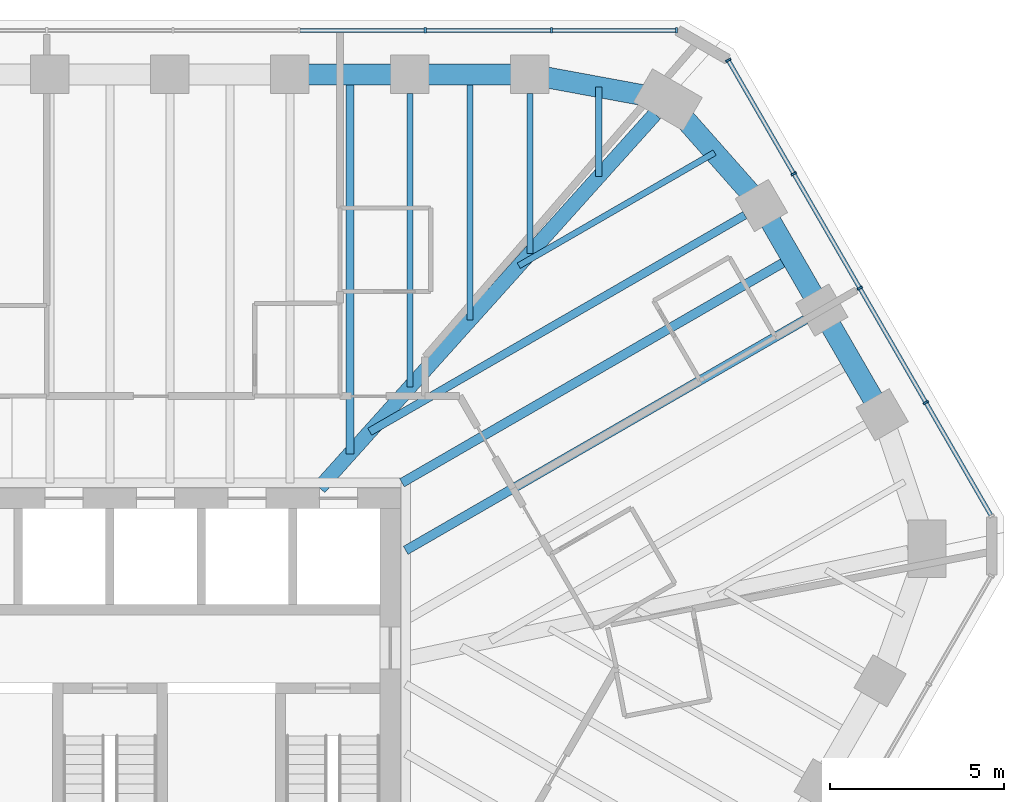
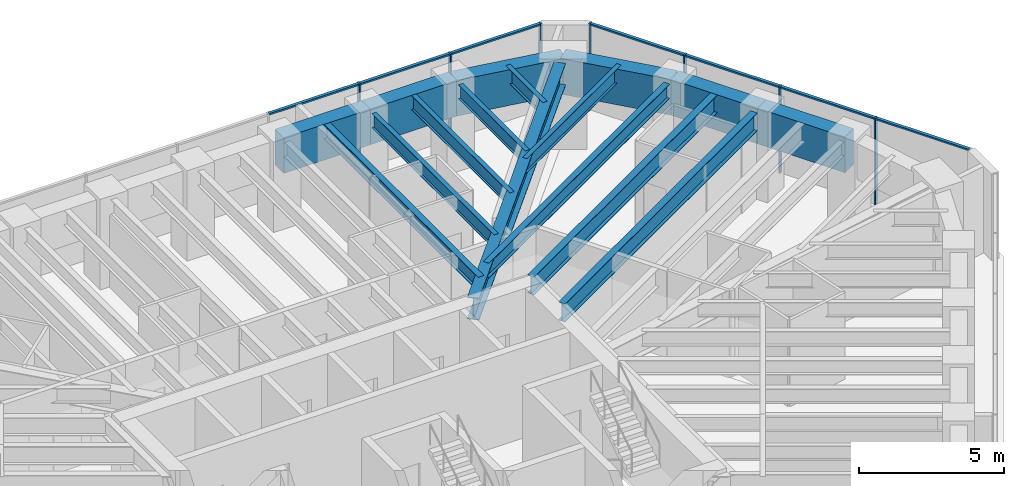
# One storey, part 7 of 14: 16 beams, 14 members, 2 elements without a shape of their own.
"""IFC4 building model written with IfcOpenShell, lengths in metres."""

from ifc_helpers import new_model, si_unit, direction, frame, origin, origin_2d, place, context, subcontext, project, spatial, rectangle, i_section, extrude, material, material_profile, profile_set, type_object, element, aggregate, save


model = new_model("IFC4")

# Units and contexts
model_context = context("Model", 3, precision=1e-05, world=origin(), true_north=direction((0.0, 1.0)))
body_context = subcontext(model_context, "Body", "Model", "MODEL_VIEW")
ifc_project = project(units=[si_unit("LENGTHUNIT", "METRE"), si_unit("AREAUNIT", "SQUARE_METRE"), si_unit("VOLUMEUNIT", "CUBIC_METRE"), si_unit("PLANEANGLEUNIT", "RADIAN"), si_unit("MASSUNIT", "GRAM", prefix="KILO")], contexts=[model_context])

# Site, building, storey
site_placement = place(None, origin())
site = spatial("IfcSite", under=ifc_project, at=site_placement, CompositionType="ELEMENT")
building_placement = place(site_placement, origin())
building = spatial("IfcBuilding", under=site, at=building_placement, Name="Sandreach Pilgrim Tower", CompositionType="ELEMENT")
storey_placement = place(building_placement, frame((0.0, 0.0, 268.39990234375)))
storey = spatial("IfcBuildingStorey", under=building, at=storey_placement, Name="L67", CompositionType="ELEMENT", Elevation=268.39990234375)

# Curtain wall, members
ifc_material_1 = material(Name="Aluminium framed curtain wall", Category="aluminium")
curtain_wall_type = type_object("IfcCurtainWallType", Name="Suite tower curtain wall", PredefinedType="NOTDEFINED", material=ifc_material_1)
curtain_wall_1_placement = place(storey_placement, origin())
curtain_wall_1 = element("IfcCurtainWall", 1, at=curtain_wall_1_placement, inside=storey, type_object=curtain_wall_type, Name="CW-4 L67 N", PredefinedType="NOTDEFINED")
ifc_material_2 = material(Name="Aluminium extrusion", Category="aluminium")
ifc_material_profile_1 = material_profile(ifc_material_2, rectangle(XDim=0.06005859375, YDim=0.159912109375, at=origin_2d()), Name="CW-4M 60X160")
ifc_profile_set_1 = profile_set([ifc_material_profile_1], Name="Aluminium extrusion")
member_type_1 = type_object("IfcMemberType", Name="CW-4 mullion", PredefinedType="MULLION", material=ifc_profile_set_1)
member_1_placement = place(storey_placement, frame((9.0546875, 19.826416015625, 0.0), z_axis=(0.0, 0.0, 1.0), x_axis=(1.0, 0.0, 0.0)))
member_1 = element("IfcMember", 2, at=member_1_placement, type_object=member_type_1, Name="CW-4 mullion 8", PredefinedType="MULLION", context=body_context, shape_type="SweptSolid", body=[
    extrude(rectangle(XDim=0.06005859375, YDim=0.159912109375, at=origin_2d()), origin(), (0.0, 0.0, 1.0), 3.64013671875),
])
member_2_placement = place(storey_placement, frame((12.676513671875, 19.826416015625, 0.0), z_axis=(0.0, 0.0, 1.0), x_axis=(1.0, 0.0, 0.0)))
member_2 = element("IfcMember", 3, at=member_2_placement, type_object=member_type_1, Name="CW-4 mullion 9", PredefinedType="MULLION", context=body_context, shape_type="SweptSolid", body=[
    extrude(rectangle(XDim=0.06005859375, YDim=0.159912109375, at=origin_2d()), origin(), (0.0, 0.0, 1.0), 3.64013671875),
])
member_3_placement = place(storey_placement, frame((16.268310546875, 19.826416015625, 0.0), z_axis=(0.0, 0.0, 1.0), x_axis=(1.0, 0.0, 0.0)))
member_3 = element("IfcMember", 4, at=member_3_placement, type_object=member_type_1, Name="CW-4 mullion 10", PredefinedType="MULLION", context=body_context, shape_type="SweptSolid", body=[
    extrude(rectangle(XDim=0.06005859375, YDim=0.159912109375, at=origin_2d()), origin(), (0.0, 0.0, 1.0), 3.64013671875),
])

curtain_wall_2_placement = place(storey_placement, origin())
curtain_wall_2 = element("IfcCurtainWall", 5, at=curtain_wall_2_placement, inside=storey, type_object=curtain_wall_type, Name="CW-4 L67 NE", PredefinedType="NOTDEFINED")
member_4_placement = place(storey_placement, frame((17.7509765625, 18.970458984375, 0.0), z_axis=(0.0, 0.0, 1.0), x_axis=(0.5, -0.866025403784, 0.0)))
member_4 = element("IfcMember", 6, at=member_4_placement, type_object=member_type_1, Name="CW-4 mullion 1", PredefinedType="MULLION", context=body_context, shape_type="SweptSolid", body=[
    extrude(rectangle(XDim=0.06005859375, YDim=0.159912109375, at=origin_2d()), origin(), (0.0, 0.0, 1.0), 3.64013671875),
])
member_5_placement = place(storey_placement, frame((19.6318359375, 15.712646484375, 0.0), z_axis=(0.0, 0.0, 1.0), x_axis=(0.5, -0.866025403784, 0.0)))
member_5 = element("IfcMember", 7, at=member_5_placement, type_object=member_type_1, Name="CW-4 mullion 2", PredefinedType="MULLION", context=body_context, shape_type="SweptSolid", body=[
    extrude(rectangle(XDim=0.06005859375, YDim=0.159912109375, at=origin_2d()), origin(), (0.0, 0.0, 1.0), 3.64013671875),
])
member_6_placement = place(storey_placement, frame((21.527587890625, 12.428955078125, 0.0), z_axis=(0.0, 0.0, 1.0), x_axis=(0.5, -0.866025403784, 0.0)))
member_6 = element("IfcMember", 8, at=member_6_placement, type_object=member_type_1, Name="CW-4 mullion 3", PredefinedType="MULLION", context=body_context, shape_type="SweptSolid", body=[
    extrude(rectangle(XDim=0.06005859375, YDim=0.159912109375, at=origin_2d()), origin(), (0.0, 0.0, 1.0), 3.64013671875),
])
member_7_placement = place(storey_placement, frame((23.423583984375, 9.145263671875, 0.0), z_axis=(0.0, 0.0, 1.0), x_axis=(0.5, -0.866025403784, 0.0)))
member_7 = element("IfcMember", 9, at=member_7_placement, type_object=member_type_1, Name="CW-4 mullion 4", PredefinedType="MULLION", context=body_context, shape_type="SweptSolid", body=[
    extrude(rectangle(XDim=0.06005859375, YDim=0.159912109375, at=origin_2d()), origin(), (0.0, 0.0, 1.0), 3.64013671875),
])

# Member
ifc_material_3 = material(Name="Aluminium extrusion", Category="aluminium")
ifc_material_profile_2 = material_profile(ifc_material_3, rectangle(XDim=0.1201171875, YDim=0.070068359375, at=origin_2d()), Name="CW-4T 120X70")
ifc_profile_set_2 = profile_set([ifc_material_profile_2], Name="Aluminium extrusion")
member_type_2 = type_object("IfcMemberType", Name="CW-4 transom", PredefinedType="USERDEFINED", material=ifc_profile_set_2)
member_8_placement = place(storey_placement, frame((5.462890625, 19.826416015625, 3.60498046875), z_axis=(1.0, 0.0, 0.0), x_axis=(0.0, 1.0, 0.0)))
member_8 = element("IfcMember", 10, at=member_8_placement, type_object=member_type_2, Name="CW-4 head transom 7", ObjectType="TRANSOM", PredefinedType="USERDEFINED", context=body_context, shape_type="SweptSolid", body=[
    extrude(rectangle(XDim=0.1201171875, YDim=0.070068359375, at=origin_2d()), origin(), (0.0, 0.0, 1.0), 3.561767578125),
])

member_9_placement = place(storey_placement, frame((9.084716796875, 19.826416015625, 3.60498046875), z_axis=(1.0, 0.0, 0.0), x_axis=(0.0, 1.0, 0.0)))
member_9 = element("IfcMember", 11, at=member_9_placement, type_object=member_type_2, Name="CW-4 head transom 8", ObjectType="TRANSOM", PredefinedType="USERDEFINED", context=body_context, shape_type="SweptSolid", body=[
    extrude(rectangle(XDim=0.1201171875, YDim=0.070068359375, at=origin_2d()), origin(), (0.0, 0.0, 1.0), 3.561767578125),
])

member_10_placement = place(storey_placement, frame((12.70654296875, 19.826416015625, 3.60498046875), z_axis=(1.0, 0.0, 0.0), x_axis=(0.0, 1.0, 0.0)))
member_10 = element("IfcMember", 12, at=member_10_placement, type_object=member_type_2, Name="CW-4 head transom 9", ObjectType="TRANSOM", PredefinedType="USERDEFINED", context=body_context, shape_type="SweptSolid", body=[
    extrude(rectangle(XDim=0.1201171875, YDim=0.070068359375, at=origin_2d()), origin(), (0.0, 0.0, 1.0), 3.53173828125),
])

aggregate(curtain_wall_1, [member_1, member_2, member_3, member_8, member_9, member_10])

member_11_placement = place(storey_placement, frame((17.76611328125, 18.944580078125, 3.60498046875), z_axis=(0.499990780478, -0.866030726613, 0.0), x_axis=(0.866030726613, 0.499990780478, 0.0)))
member_11 = element("IfcMember", 13, at=member_11_placement, type_object=member_type_2, Name="CW-4 head transom 1", ObjectType="TRANSOM", PredefinedType="USERDEFINED", context=body_context, shape_type="SweptSolid", body=[
    extrude(rectangle(XDim=0.1201171875, YDim=0.070068359375, at=origin_2d()), origin(), (0.0, 0.0, 1.0), 3.70166015625),
])

member_12_placement = place(storey_placement, frame((19.646728515625, 15.686767578125, 3.60498046875), z_axis=(0.500030151002, -0.866007995396, 0.0), x_axis=(0.866007995396, 0.500030151002, 0.0)))
member_12 = element("IfcMember", 14, at=member_12_placement, type_object=member_type_2, Name="CW-4 head transom 2", ObjectType="TRANSOM", PredefinedType="USERDEFINED", context=body_context, shape_type="SweptSolid", body=[
    extrude(rectangle(XDim=0.1201171875, YDim=0.070068359375, at=origin_2d()), origin(), (0.0, 0.0, 1.0), 3.731689453125),
])

member_13_placement = place(storey_placement, frame((21.542724609375, 12.403076171875, 3.60498046875), z_axis=(0.499981083104, -0.866036325184, 0.0), x_axis=(0.866036325184, 0.499981083104, 0.0)))
member_13 = element("IfcMember", 15, at=member_13_placement, type_object=member_type_2, Name="CW-4 head transom 3", ObjectType="TRANSOM", PredefinedType="USERDEFINED", context=body_context, shape_type="SweptSolid", body=[
    extrude(rectangle(XDim=0.1201171875, YDim=0.070068359375, at=origin_2d()), origin(), (0.0, 0.0, 1.0), 3.731689453125),
])

member_14_placement = place(storey_placement, frame((23.4384765625, 9.119384765625, 3.60498046875), z_axis=(0.499990780478, -0.866030726613, 0.0), x_axis=(0.866030726613, 0.499990780478, 0.0)))
member_14 = element("IfcMember", 16, at=member_14_placement, type_object=member_type_2, Name="CW-4 head transom 4", ObjectType="TRANSOM", PredefinedType="USERDEFINED", context=body_context, shape_type="SweptSolid", body=[
    extrude(rectangle(XDim=0.1201171875, YDim=0.070068359375, at=origin_2d()), origin(), (0.0, 0.0, 1.0), 3.70166015625),
])

aggregate(curtain_wall_2, [member_4, member_5, member_6, member_7, member_11, member_12, member_13, member_14])

# Beams
ifc_material_4 = material(Name="Steel ASTM A992 Grade 50", Category="steel")
ifc_material_profile_3 = material_profile(ifc_material_4, i_section(OverallWidth=0.419189453125, OverallDepth=0.927001953125, WebThickness=0.019287109375, FlangeThickness=0.031982421875, at=origin_2d()), Name="W36X231")
ifc_profile_set_3 = profile_set([ifc_material_profile_3], Name="Steel ASTM A992 Grade 50")
beam_type_1 = type_object("IfcBeamType", Name="Corner girder W36X231", PredefinedType="BEAM", material=ifc_profile_set_3)
beam_1_placement = place(storey_placement, frame((15.649169921875, 17.427978515625, 3.176513671875), z_axis=(-0.668114851597, -0.74405815974, 0.0), x_axis=(0.74405815974, -0.668114851597, 0.0)))
element("IfcBeam", 17, at=beam_1_placement, inside=storey, type_object=beam_type_1, Name="BM L67 CG09", PredefinedType="BEAM", context=body_context, shape_type="SweptSolid", body=[
    extrude(i_section(OverallWidth=0.419189453125, OverallDepth=0.927001953125, WebThickness=0.019287109375, FlangeThickness=0.031982421875, at=origin_2d()), origin(), (0.0, 0.0, 1.0), 14.418212890625),
])
ifc_material_5 = material(Name="Steel ASTM A992 Grade 50", Category="steel")
ifc_material_profile_4 = material_profile(ifc_material_5, i_section(OverallWidth=0.1787109375, OverallDepth=0.60205078125, WebThickness=0.010986328125, FlangeThickness=0.014892578125, at=origin_2d()), Name="W24X62")
ifc_profile_set_4 = profile_set([ifc_material_profile_4], Name="Steel ASTM A992 Grade 50")
beam_type_2 = type_object("IfcBeamType", Name="Floor beam W24X62", PredefinedType="BEAM", material=ifc_profile_set_4)
beam_2_placement = place(storey_placement, frame((8.612548828125, 18.016357421875, 3.339111328125), z_axis=(0.0, -1.0, 0.0), x_axis=(1.0, 0.0, 0.0)))
element("IfcBeam", 18, at=beam_2_placement, inside=storey, type_object=beam_type_2, Name="BM L67 F07", PredefinedType="BEAM", context=body_context, shape_type="SweptSolid", body=[
    extrude(i_section(OverallWidth=0.1787109375, OverallDepth=0.60205078125, WebThickness=0.010986328125, FlangeThickness=0.014892578125, at=origin_2d()), origin(), (0.0, 0.0, 1.0), 8.4248046875),
])
beam_3_placement = place(storey_placement, frame((12.0576171875, 18.016357421875, 3.339111328125), z_axis=(0.0, -1.0, 0.0), x_axis=(1.0, 0.0, 0.0)))
element("IfcBeam", 19, at=beam_3_placement, inside=storey, type_object=beam_type_2, Name="BM L67 F08", PredefinedType="BEAM", context=body_context, shape_type="SweptSolid", body=[
    extrude(i_section(OverallWidth=0.1787109375, OverallDepth=0.60205078125, WebThickness=0.010986328125, FlangeThickness=0.014892578125, at=origin_2d()), origin(), (0.0, 0.0, 1.0), 4.58837890625),
])
beam_4_placement = place(storey_placement, frame((10.3349609375, 18.56640625, 3.339111328125), z_axis=(0.0, -1.0, 0.0), x_axis=(1.0, 0.0, 0.0)))
element("IfcBeam", 20, at=beam_4_placement, inside=storey, type_object=beam_type_2, Name="BM L67 FM07", PredefinedType="BEAM", context=body_context, shape_type="SweptSolid", body=[
    extrude(i_section(OverallWidth=0.1787109375, OverallDepth=0.60205078125, WebThickness=0.010986328125, FlangeThickness=0.014892578125, at=origin_2d()), origin(), (0.0, 0.0, 1.0), 7.056640625),
])
beam_5_placement = place(storey_placement, frame((14.037109375, 18.201904296875, 3.339111328125), z_axis=(0.0, -1.0, 0.0), x_axis=(1.0, 0.0, 0.0)))
element("IfcBeam", 21, at=beam_5_placement, inside=storey, type_object=beam_type_2, Name="BM L67 FM08", PredefinedType="BEAM", context=body_context, shape_type="SweptSolid", body=[
    extrude(i_section(OverallWidth=0.1787109375, OverallDepth=0.60205078125, WebThickness=0.010986328125, FlangeThickness=0.014892578125, at=origin_2d()), origin(), (0.0, 0.0, 1.0), 2.5693359375),
])
beam_6_placement = place(storey_placement, frame((17.360107421875, 16.31884765625, 3.339111328125), z_axis=(-0.866023980233, -0.500002465655, 0.0), x_axis=(0.500002465655, -0.866023980233, 0.0)))
element("IfcBeam", 22, at=beam_6_placement, inside=storey, type_object=beam_type_2, Name="BM L67 FM09", PredefinedType="BEAM", context=body_context, shape_type="SweptSolid", body=[
    extrude(i_section(OverallWidth=0.1787109375, OverallDepth=0.60205078125, WebThickness=0.010986328125, FlangeThickness=0.014892578125, at=origin_2d()), origin(), (0.0, 0.0, 1.0), 6.49072265625),
])
ifc_material_6 = material(Name="Steel ASTM A992 Grade 50", Category="steel")
ifc_material_profile_5 = material_profile(ifc_material_6, i_section(OverallWidth=0.23046875, OverallDepth=0.6171875, WebThickness=0.01318359375, FlangeThickness=0.022216796875, at=origin_2d()), Name="W24X94")
ifc_profile_set_5 = profile_set([ifc_material_profile_5], Name="Steel ASTM A992 Grade 50")
beam_type_3 = type_object("IfcBeamType", Name="Floor beam W24X94", PredefinedType="BEAM", material=ifc_profile_set_5)
beam_7_placement = place(storey_placement, frame((18.227294921875, 14.525390625, 3.33154296875), z_axis=(-0.866020427415, -0.500008619226, 0.0), x_axis=(0.500008619226, -0.866020427415, 0.0)))
element("IfcBeam", 23, at=beam_7_placement, inside=storey, type_object=beam_type_3, Name="BM L67 F10", PredefinedType="BEAM", context=body_context, shape_type="SweptSolid", body=[
    extrude(i_section(OverallWidth=0.23046875, OverallDepth=0.6171875, WebThickness=0.01318359375, FlangeThickness=0.022216796875, at=origin_2d()), origin(), (0.0, 0.0, 1.0), 12.431396484375),
])
beam_8_placement = place(storey_placement, frame((6.89013671875, 18.56640625, 3.33154296875), z_axis=(0.0, -1.0, 0.0), x_axis=(1.0, 0.0, 0.0)))
element("IfcBeam", 24, at=beam_8_placement, inside=storey, type_object=beam_type_3, Name="BM L67 FM06", PredefinedType="BEAM", context=body_context, shape_type="SweptSolid", body=[
    extrude(i_section(OverallWidth=0.23046875, OverallDepth=0.6171875, WebThickness=0.01318359375, FlangeThickness=0.022216796875, at=origin_2d()), origin(), (0.0, 0.0, 1.0), 10.893310546875),
])
ifc_material_7 = material(Name="Steel ASTM A992 Grade 50", Category="steel")
ifc_material_profile_6 = material_profile(ifc_material_7, i_section(OverallWidth=0.2666015625, OverallDepth=0.761962890625, WebThickness=0.014404296875, FlangeThickness=0.021484375, at=origin_2d()), Name="W30X116")
ifc_profile_set_6 = profile_set([ifc_material_profile_6], Name="Steel ASTM A992 Grade 50")
beam_type_4 = type_object("IfcBeamType", Name="Floor beam W30X116", PredefinedType="BEAM", material=ifc_profile_set_6)
beam_9_placement = place(storey_placement, frame((19.960205078125, 11.52392578125, 3.259033203125), z_axis=(-0.86602530353, -0.500000173646, 0.0), x_axis=(0.500000173646, -0.86602530353, 0.0)))
element("IfcBeam", 25, at=beam_9_placement, inside=storey, type_object=beam_type_4, Name="BM L67 F11", PredefinedType="BEAM", context=body_context, shape_type="SweptSolid", body=[
    extrude(i_section(OverallWidth=0.2666015625, OverallDepth=0.761962890625, WebThickness=0.014404296875, FlangeThickness=0.021484375, at=origin_2d()), origin(), (0.0, 0.0, 1.0), 13.24072265625),
])
beam_10_placement = place(storey_placement, frame((19.570068359375, 13.299560546875, 3.259033203125), z_axis=(-0.866025008595, -0.500000684488, 0.0), x_axis=(0.500000684488, -0.866025008595, 0.0)))
element("IfcBeam", 26, at=beam_10_placement, inside=storey, type_object=beam_type_4, Name="BM L67 FM10", PredefinedType="BEAM", context=body_context, shape_type="SweptSolid", body=[
    extrude(i_section(OverallWidth=0.2666015625, OverallDepth=0.761962890625, WebThickness=0.014404296875, FlangeThickness=0.021484375, at=origin_2d()), origin(), (0.0, 0.0, 1.0), 12.91259765625),
])
ifc_material_8 = material(Name="Concrete 10000 psi", Category="concrete")
ifc_material_profile_7 = material_profile(ifc_material_8, rectangle(XDim=0.60009765625, YDim=1.5, at=origin_2d()), Name="RC600X1500")
ifc_profile_set_7 = profile_set([ifc_material_profile_7], Name="Concrete 10000 psi")
beam_type_5 = type_object("IfcBeamType", Name="Spandrel beam RC600X1500", PredefinedType="SPANDREL", material=ifc_profile_set_7)
for number, where, z_axis, x_axis, name in (
    (27, (5.16748046875, 18.56640625, 2.89013671875), (1.0, 0.0, 0.0), (0.0, 1.0, 0.0), "BM L67 SP06"),
    (28, (8.612548828125, 18.56640625, 2.89013671875), (1.0, 0.0, 0.0), (0.0, 1.0, 0.0), "BM L67 SP07"),
):
    element("IfcBeam", number, at=place(storey_placement, frame(where, z_axis=z_axis, x_axis=x_axis)), inside=storey, type_object=beam_type_5, Name=name, PredefinedType="SPANDREL", context=body_context, shape_type="SweptSolid", body=[
        extrude(rectangle(XDim=0.60009765625, YDim=1.5, at=origin_2d()), origin(), (0.0, 0.0, 1.0), 3.445068359375),
    ])
beam_11_placement = place(storey_placement, frame((12.0576171875, 18.56640625, 2.89013671875), z_axis=(0.983454894629, -0.181153167875, 0.0), x_axis=(0.181153167875, 0.983454894629, 0.0)))
element("IfcBeam", 29, at=beam_11_placement, inside=storey, type_object=beam_type_5, Name="BM L67 SP08", PredefinedType="SPANDREL", context=body_context, shape_type="SweptSolid", body=[
    extrude(rectangle(XDim=0.60009765625, YDim=1.5, at=origin_2d()), origin(), (0.0, 0.0, 1.0), 4.025634765625),
])
beam_12_placement = place(storey_placement, frame((16.0166015625, 17.837158203125, 2.89013671875), z_axis=(0.662650525414, -0.748928755736, 0.0), x_axis=(0.748928755736, 0.662650525414, 0.0)))
element("IfcBeam", 30, at=beam_12_placement, inside=storey, type_object=beam_type_5, Name="BM L67 SP09", PredefinedType="SPANDREL", context=body_context, shape_type="SweptSolid", body=[
    extrude(rectangle(XDim=0.60009765625, YDim=1.5, at=origin_2d()), origin(), (0.0, 0.0, 1.0), 4.054931640625),
])
for number, where, z_axis, x_axis, name in (
    (31, (18.70361328125, 14.80029296875, 2.89013671875), (0.500033451825, -0.866006089503, 0.0), (0.866006089503, 0.500033451825, 0.0), "BM L67 SP10"),
    (32, (20.4365234375, 11.799072265625, 2.89013671875), (0.499980616072, -0.866036594811, 0.0), (0.866036594811, 0.499980616072, 0.0), "BM L67 SP11"),
):
    element("IfcBeam", number, at=place(storey_placement, frame(where, z_axis=z_axis, x_axis=x_axis)), inside=storey, type_object=beam_type_5, Name=name, PredefinedType="SPANDREL", context=body_context, shape_type="SweptSolid", body=[
        extrude(rectangle(XDim=0.60009765625, YDim=1.5, at=origin_2d()), origin(), (0.0, 0.0, 1.0), 3.465576171875),
    ])

save(model, "model.ifc")
